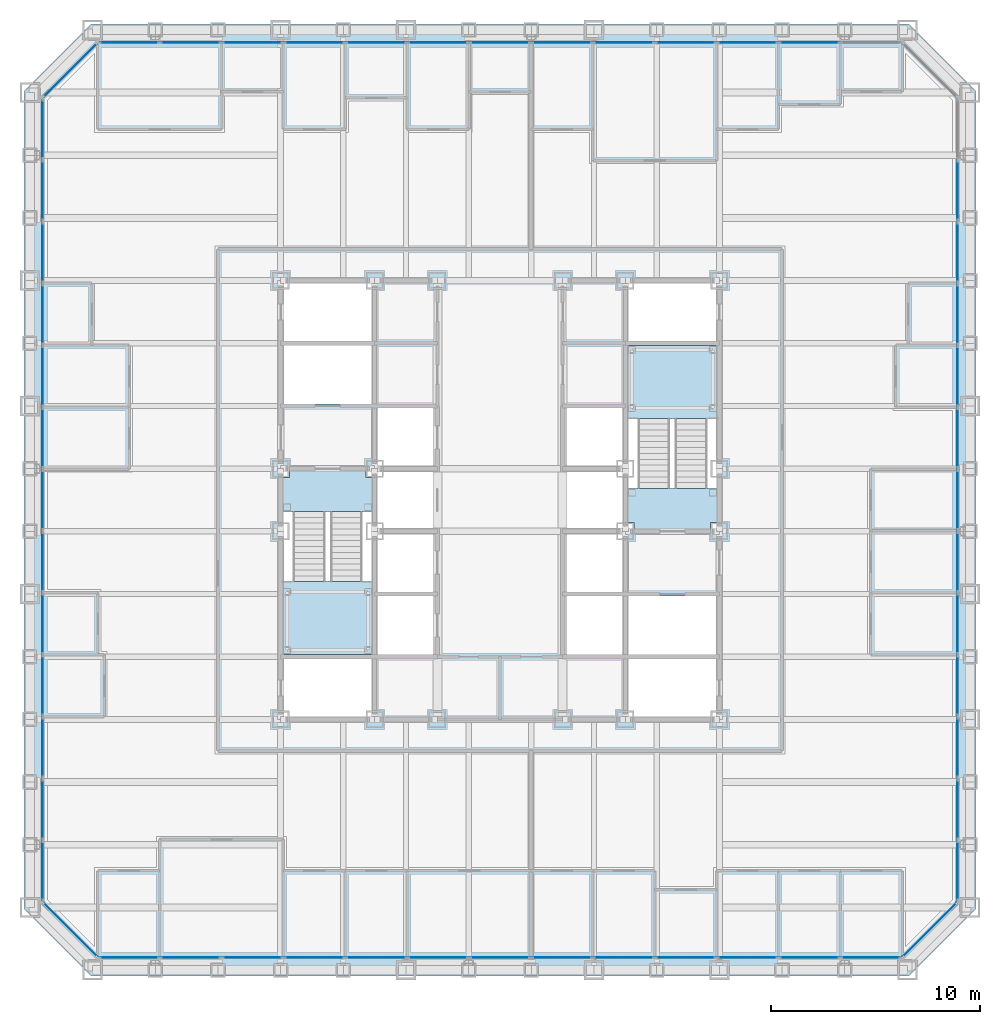
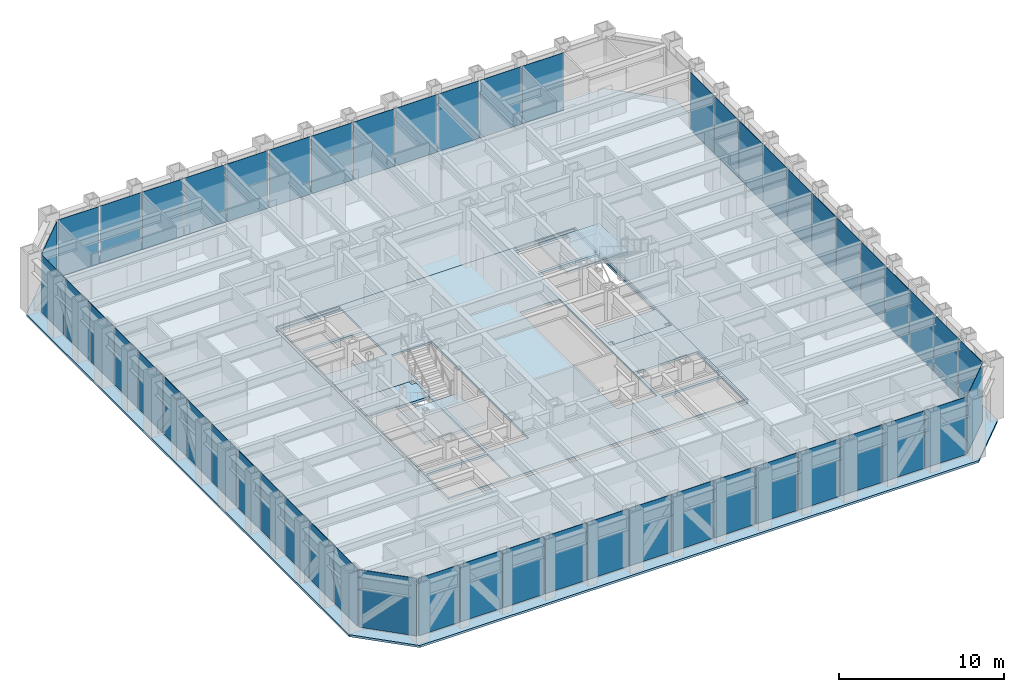
# One storey, part 7 of 16: 53 plates, 6 slabs, 9 elements without a shape of their own.
"""IFC4 building model written with IfcOpenShell, lengths in metres."""

from ifc_helpers import new_model, si_unit, direction, frame, origin, origin_2d, place, context, subcontext, project, spatial, polyline, rectangle, outline, extrude, material, layer, layer_set, type_object, element, aggregate, save


model = new_model("IFC4")

# Units and contexts
model_context = context("Model", 3, precision=1e-05, world=origin(), true_north=direction((0.0, 1.0)))
body_context = subcontext(model_context, "Body", "Model", "MODEL_VIEW")
ifc_project = project(units=[si_unit("LENGTHUNIT", "METRE"), si_unit("AREAUNIT", "SQUARE_METRE"), si_unit("VOLUMEUNIT", "CUBIC_METRE"), si_unit("PLANEANGLEUNIT", "RADIAN"), si_unit("MASSUNIT", "GRAM", prefix="KILO")], contexts=[model_context])

# Site, building, storey
site_placement = place(None, origin())
site = spatial("IfcSite", under=ifc_project, at=site_placement, CompositionType="ELEMENT")
building_placement = place(site_placement, origin())
building = spatial("IfcBuilding", under=site, at=building_placement, Name="Chuquiago Exchange Tower", CompositionType="ELEMENT")
storey_placement = place(building_placement, frame((0.0, 0.0, 55.800048828125)))
storey = spatial("IfcBuildingStorey", under=building, at=storey_placement, Name="L11", CompositionType="ELEMENT", Elevation=55.800048828125)

# Curtain wall, plates
ifc_material_1 = material(Name="Aluminium curtain wall system", Category="aluminium")
ifc_layer_1 = layer(ifc_material_1, 0.25)
ifc_layer_set_1 = layer_set([ifc_layer_1], Name="CW1 trading floor curtain wall")
curtain_wall_type_1 = type_object("IfcCurtainWallType", Name="CW1 trading floor curtain wall", PredefinedType="NOTDEFINED", material=ifc_layer_set_1)
curtain_wall_1_placement = place(storey_placement, origin())
curtain_wall_1 = element("IfcCurtainWall", 1, at=curtain_wall_1_placement, inside=storey, type_object=curtain_wall_type_1, Name="CW1 curtain wall L11", PredefinedType="NOTDEFINED")
ifc_material_2 = material(Name="Glass, insulating unit", Category="glass")
ifc_layer_2 = layer(ifc_material_2, 0.031982421875)
ifc_layer_set_2 = layer_set([ifc_layer_2], Name="CW1-P panel 32")
plate_type_1 = type_object("IfcPlateType", Name="CW1-P panel 32", PredefinedType="CURTAIN_PANEL", material=ifc_layer_set_2)
plate_1_placement = place(storey_placement, frame((10.65283203125, 0.60009765625, -0.22509765625), z_axis=(0.0, 0.0, 1.0), x_axis=(1.0, 0.0, 0.0)))
plate_1 = element("IfcPlate", 2, at=plate_1_placement, type_object=plate_type_1, Name="CW1 panel 3.1", PredefinedType="CURTAIN_PANEL", context=body_context, shape_type="SweptSolid", body=[
    extrude(rectangle(XDim=2.88671875, YDim=0.031982421875, at=origin_2d()), origin(), (0.0, 0.0, 1.0), 4.264892578125),
])
plate_2_placement = place(storey_placement, frame((13.61474609375, 0.60009765625, -0.22509765625), z_axis=(0.0, 0.0, 1.0), x_axis=(1.0, 0.0, 0.0)))
plate_2 = element("IfcPlate", 3, at=plate_2_placement, type_object=plate_type_1, Name="CW1 panel 4.1", PredefinedType="CURTAIN_PANEL", context=body_context, shape_type="SweptSolid", body=[
    extrude(rectangle(XDim=2.88671875, YDim=0.031982421875, at=origin_2d()), origin(), (0.0, 0.0, 1.0), 4.264892578125),
])
plate_3_placement = place(storey_placement, frame((16.576416015625, 0.60009765625, -0.22509765625), z_axis=(0.0, 0.0, 1.0), x_axis=(1.0, 0.0, 0.0)))
plate_3 = element("IfcPlate", 4, at=plate_3_placement, type_object=plate_type_1, Name="CW1 panel 5.1", PredefinedType="CURTAIN_PANEL", context=body_context, shape_type="SweptSolid", body=[
    extrude(rectangle(XDim=2.88671875, YDim=0.031982421875, at=origin_2d()), origin(), (0.0, 0.0, 1.0), 4.264892578125),
])
plate_4_placement = place(storey_placement, frame((25.461669921875, 0.60009765625, -0.22509765625), z_axis=(0.0, 0.0, 1.0), x_axis=(1.0, 0.0, 0.0)))
plate_4 = element("IfcPlate", 5, at=plate_4_placement, type_object=plate_type_1, Name="CW1 panel 8.1", PredefinedType="CURTAIN_PANEL", context=body_context, shape_type="SweptSolid", body=[
    extrude(rectangle(XDim=2.88671875, YDim=0.031982421875, at=origin_2d()), origin(), (0.0, 0.0, 1.0), 4.264892578125),
])
plate_5_placement = place(storey_placement, frame((28.423583984375, 0.60009765625, -0.22509765625), z_axis=(0.0, 0.0, 1.0), x_axis=(1.0, 0.0, 0.0)))
plate_5 = element("IfcPlate", 6, at=plate_5_placement, type_object=plate_type_1, Name="CW1 panel 9.1", PredefinedType="CURTAIN_PANEL", context=body_context, shape_type="SweptSolid", body=[
    extrude(rectangle(XDim=2.88671875, YDim=0.031982421875, at=origin_2d()), origin(), (0.0, 0.0, 1.0), 4.264892578125),
])
plate_6_placement = place(storey_placement, frame((31.38525390625, 0.60009765625, -0.22509765625), z_axis=(0.0, 0.0, 1.0), x_axis=(1.0, 0.0, 0.0)))
plate_6 = element("IfcPlate", 7, at=plate_6_placement, type_object=plate_type_1, Name="CW1 panel 10.1", PredefinedType="CURTAIN_PANEL", context=body_context, shape_type="SweptSolid", body=[
    extrude(rectangle(XDim=2.88671875, YDim=0.031982421875, at=origin_2d()), origin(), (0.0, 0.0, 1.0), 4.264892578125),
])
plate_7_placement = place(storey_placement, frame((34.34716796875, 0.60009765625, -0.22509765625), z_axis=(0.0, 0.0, 1.0), x_axis=(1.0, 0.0, 0.0)))
plate_7 = element("IfcPlate", 8, at=plate_7_placement, type_object=plate_type_1, Name="CW1 panel 11.1", PredefinedType="CURTAIN_PANEL", context=body_context, shape_type="SweptSolid", body=[
    extrude(rectangle(XDim=2.88671875, YDim=0.031982421875, at=origin_2d()), origin(), (0.0, 0.0, 1.0), 4.264892578125),
])

curtain_wall_2_placement = place(storey_placement, origin())
curtain_wall_2 = element("IfcCurtainWall", 9, at=curtain_wall_2_placement, inside=storey, type_object=curtain_wall_type_1, Name="CW1 curtain wall L11", PredefinedType="NOTDEFINED")
plate_8_placement = place(storey_placement, frame((44.39990234375, 10.65283203125, -0.22509765625), z_axis=(0.0, 0.0, 1.0), x_axis=(0.0, 1.0, 0.0)))
plate_8 = element("IfcPlate", 10, at=plate_8_placement, type_object=plate_type_1, Name="CW1 panel 3.1", PredefinedType="CURTAIN_PANEL", context=body_context, shape_type="SweptSolid", body=[
    extrude(rectangle(XDim=2.88671875, YDim=0.031982421875, at=origin_2d()), origin(), (0.0, 0.0, 1.0), 4.264892578125),
])
plate_9_placement = place(storey_placement, frame((44.39990234375, 13.61474609375, -0.22509765625), z_axis=(0.0, 0.0, 1.0), x_axis=(0.0, 1.0, 0.0)))
plate_9 = element("IfcPlate", 11, at=plate_9_placement, type_object=plate_type_1, Name="CW1 panel 4.1", PredefinedType="CURTAIN_PANEL", context=body_context, shape_type="SweptSolid", body=[
    extrude(rectangle(XDim=2.88671875, YDim=0.031982421875, at=origin_2d()), origin(), (0.0, 0.0, 1.0), 4.264892578125),
])
plate_10_placement = place(storey_placement, frame((44.39990234375, 16.576416015625, -0.22509765625), z_axis=(0.0, 0.0, 1.0), x_axis=(0.0, 1.0, 0.0)))
plate_10 = element("IfcPlate", 12, at=plate_10_placement, type_object=plate_type_1, Name="CW1 panel 5.1", PredefinedType="CURTAIN_PANEL", context=body_context, shape_type="SweptSolid", body=[
    extrude(rectangle(XDim=2.88671875, YDim=0.031982421875, at=origin_2d()), origin(), (0.0, 0.0, 1.0), 4.264892578125),
])
plate_11_placement = place(storey_placement, frame((44.39990234375, 25.461669921875, -0.22509765625), z_axis=(0.0, 0.0, 1.0), x_axis=(0.0, 1.0, 0.0)))
plate_11 = element("IfcPlate", 13, at=plate_11_placement, type_object=plate_type_1, Name="CW1 panel 8.1", PredefinedType="CURTAIN_PANEL", context=body_context, shape_type="SweptSolid", body=[
    extrude(rectangle(XDim=2.88671875, YDim=0.031982421875, at=origin_2d()), origin(), (0.0, 0.0, 1.0), 4.264892578125),
])
plate_12_placement = place(storey_placement, frame((44.39990234375, 28.423583984375, -0.22509765625), z_axis=(0.0, 0.0, 1.0), x_axis=(0.0, 1.0, 0.0)))
plate_12 = element("IfcPlate", 14, at=plate_12_placement, type_object=plate_type_1, Name="CW1 panel 9.1", PredefinedType="CURTAIN_PANEL", context=body_context, shape_type="SweptSolid", body=[
    extrude(rectangle(XDim=2.88671875, YDim=0.031982421875, at=origin_2d()), origin(), (0.0, 0.0, 1.0), 4.264892578125),
])
plate_13_placement = place(storey_placement, frame((44.39990234375, 31.38525390625, -0.22509765625), z_axis=(0.0, 0.0, 1.0), x_axis=(0.0, 1.0, 0.0)))
plate_13 = element("IfcPlate", 15, at=plate_13_placement, type_object=plate_type_1, Name="CW1 panel 10.1", PredefinedType="CURTAIN_PANEL", context=body_context, shape_type="SweptSolid", body=[
    extrude(rectangle(XDim=2.88671875, YDim=0.031982421875, at=origin_2d()), origin(), (0.0, 0.0, 1.0), 4.264892578125),
])
plate_14_placement = place(storey_placement, frame((44.39990234375, 34.34716796875, -0.22509765625), z_axis=(0.0, 0.0, 1.0), x_axis=(0.0, 1.0, 0.0)))
plate_14 = element("IfcPlate", 16, at=plate_14_placement, type_object=plate_type_1, Name="CW1 panel 11.1", PredefinedType="CURTAIN_PANEL", context=body_context, shape_type="SweptSolid", body=[
    extrude(rectangle(XDim=2.88671875, YDim=0.031982421875, at=origin_2d()), origin(), (0.0, 0.0, 1.0), 4.264892578125),
])

curtain_wall_3_placement = place(storey_placement, origin())
curtain_wall_3 = element("IfcCurtainWall", 17, at=curtain_wall_3_placement, inside=storey, type_object=curtain_wall_type_1, Name="CW1 curtain wall L11", PredefinedType="NOTDEFINED")
plate_15_placement = place(storey_placement, frame((34.34716796875, 44.39990234375, -0.22509765625), z_axis=(0.0, 0.0, 1.0), x_axis=(-1.0, 0.0, 0.0)))
plate_15 = element("IfcPlate", 18, at=plate_15_placement, type_object=plate_type_1, Name="CW1 panel 3.1", PredefinedType="CURTAIN_PANEL", context=body_context, shape_type="SweptSolid", body=[
    extrude(rectangle(XDim=2.88671875, YDim=0.031982421875, at=origin_2d()), origin(), (0.0, 0.0, 1.0), 4.264892578125),
])
plate_16_placement = place(storey_placement, frame((31.38525390625, 44.39990234375, -0.22509765625), z_axis=(0.0, 0.0, 1.0), x_axis=(-1.0, 0.0, 0.0)))
plate_16 = element("IfcPlate", 19, at=plate_16_placement, type_object=plate_type_1, Name="CW1 panel 4.1", PredefinedType="CURTAIN_PANEL", context=body_context, shape_type="SweptSolid", body=[
    extrude(rectangle(XDim=2.88671875, YDim=0.031982421875, at=origin_2d()), origin(), (0.0, 0.0, 1.0), 4.264892578125),
])
plate_17_placement = place(storey_placement, frame((28.423583984375, 44.39990234375, -0.22509765625), z_axis=(0.0, 0.0, 1.0), x_axis=(-1.0, 0.0, 0.0)))
plate_17 = element("IfcPlate", 20, at=plate_17_placement, type_object=plate_type_1, Name="CW1 panel 5.1", PredefinedType="CURTAIN_PANEL", context=body_context, shape_type="SweptSolid", body=[
    extrude(rectangle(XDim=2.88671875, YDim=0.031982421875, at=origin_2d()), origin(), (0.0, 0.0, 1.0), 4.264892578125),
])
plate_18_placement = place(storey_placement, frame((19.538330078125, 44.39990234375, -0.22509765625), z_axis=(0.0, 0.0, 1.0), x_axis=(-1.0, 0.0, 0.0)))
plate_18 = element("IfcPlate", 21, at=plate_18_placement, type_object=plate_type_1, Name="CW1 panel 8.1", PredefinedType="CURTAIN_PANEL", context=body_context, shape_type="SweptSolid", body=[
    extrude(rectangle(XDim=2.88671875, YDim=0.031982421875, at=origin_2d()), origin(), (0.0, 0.0, 1.0), 4.264892578125),
])
plate_19_placement = place(storey_placement, frame((16.576416015625, 44.39990234375, -0.22509765625), z_axis=(0.0, 0.0, 1.0), x_axis=(-1.0, 0.0, 0.0)))
plate_19 = element("IfcPlate", 22, at=plate_19_placement, type_object=plate_type_1, Name="CW1 panel 9.1", PredefinedType="CURTAIN_PANEL", context=body_context, shape_type="SweptSolid", body=[
    extrude(rectangle(XDim=2.88671875, YDim=0.031982421875, at=origin_2d()), origin(), (0.0, 0.0, 1.0), 4.264892578125),
])
plate_20_placement = place(storey_placement, frame((13.61474609375, 44.39990234375, -0.22509765625), z_axis=(0.0, 0.0, 1.0), x_axis=(-1.0, 0.0, 0.0)))
plate_20 = element("IfcPlate", 23, at=plate_20_placement, type_object=plate_type_1, Name="CW1 panel 10.1", PredefinedType="CURTAIN_PANEL", context=body_context, shape_type="SweptSolid", body=[
    extrude(rectangle(XDim=2.88671875, YDim=0.031982421875, at=origin_2d()), origin(), (0.0, 0.0, 1.0), 4.264892578125),
])
plate_21_placement = place(storey_placement, frame((10.65283203125, 44.39990234375, -0.22509765625), z_axis=(0.0, 0.0, 1.0), x_axis=(-1.0, 0.0, 0.0)))
plate_21 = element("IfcPlate", 24, at=plate_21_placement, type_object=plate_type_1, Name="CW1 panel 11.1", PredefinedType="CURTAIN_PANEL", context=body_context, shape_type="SweptSolid", body=[
    extrude(rectangle(XDim=2.88671875, YDim=0.031982421875, at=origin_2d()), origin(), (0.0, 0.0, 1.0), 4.264892578125),
])

curtain_wall_4_placement = place(storey_placement, origin())
curtain_wall_4 = element("IfcCurtainWall", 25, at=curtain_wall_4_placement, inside=storey, type_object=curtain_wall_type_1, Name="CW1 curtain wall L11", PredefinedType="NOTDEFINED")
plate_22_placement = place(storey_placement, frame((0.60009765625, 34.34716796875, -0.22509765625), z_axis=(0.0, 0.0, 1.0), x_axis=(0.0, -1.0, 0.0)))
plate_22 = element("IfcPlate", 26, at=plate_22_placement, type_object=plate_type_1, Name="CW1 panel 3.1", PredefinedType="CURTAIN_PANEL", context=body_context, shape_type="SweptSolid", body=[
    extrude(rectangle(XDim=2.88671875, YDim=0.031982421875, at=origin_2d()), origin(), (0.0, 0.0, 1.0), 4.264892578125),
])
plate_23_placement = place(storey_placement, frame((0.60009765625, 31.38525390625, -0.22509765625), z_axis=(0.0, 0.0, 1.0), x_axis=(0.0, -1.0, 0.0)))
plate_23 = element("IfcPlate", 27, at=plate_23_placement, type_object=plate_type_1, Name="CW1 panel 4.1", PredefinedType="CURTAIN_PANEL", context=body_context, shape_type="SweptSolid", body=[
    extrude(rectangle(XDim=2.88671875, YDim=0.031982421875, at=origin_2d()), origin(), (0.0, 0.0, 1.0), 4.264892578125),
])
plate_24_placement = place(storey_placement, frame((0.60009765625, 28.423583984375, -0.22509765625), z_axis=(0.0, 0.0, 1.0), x_axis=(0.0, -1.0, 0.0)))
plate_24 = element("IfcPlate", 28, at=plate_24_placement, type_object=plate_type_1, Name="CW1 panel 5.1", PredefinedType="CURTAIN_PANEL", context=body_context, shape_type="SweptSolid", body=[
    extrude(rectangle(XDim=2.88671875, YDim=0.031982421875, at=origin_2d()), origin(), (0.0, 0.0, 1.0), 4.264892578125),
])
plate_25_placement = place(storey_placement, frame((0.60009765625, 19.538330078125, -0.22509765625), z_axis=(0.0, 0.0, 1.0), x_axis=(0.0, -1.0, 0.0)))
plate_25 = element("IfcPlate", 29, at=plate_25_placement, type_object=plate_type_1, Name="CW1 panel 8.1", PredefinedType="CURTAIN_PANEL", context=body_context, shape_type="SweptSolid", body=[
    extrude(rectangle(XDim=2.88671875, YDim=0.031982421875, at=origin_2d()), origin(), (0.0, 0.0, 1.0), 4.264892578125),
])
plate_26_placement = place(storey_placement, frame((0.60009765625, 16.576416015625, -0.22509765625), z_axis=(0.0, 0.0, 1.0), x_axis=(0.0, -1.0, 0.0)))
plate_26 = element("IfcPlate", 30, at=plate_26_placement, type_object=plate_type_1, Name="CW1 panel 9.1", PredefinedType="CURTAIN_PANEL", context=body_context, shape_type="SweptSolid", body=[
    extrude(rectangle(XDim=2.88671875, YDim=0.031982421875, at=origin_2d()), origin(), (0.0, 0.0, 1.0), 4.264892578125),
])
plate_27_placement = place(storey_placement, frame((0.60009765625, 13.61474609375, -0.22509765625), z_axis=(0.0, 0.0, 1.0), x_axis=(0.0, -1.0, 0.0)))
plate_27 = element("IfcPlate", 31, at=plate_27_placement, type_object=plate_type_1, Name="CW1 panel 10.1", PredefinedType="CURTAIN_PANEL", context=body_context, shape_type="SweptSolid", body=[
    extrude(rectangle(XDim=2.88671875, YDim=0.031982421875, at=origin_2d()), origin(), (0.0, 0.0, 1.0), 4.264892578125),
])
plate_28_placement = place(storey_placement, frame((0.60009765625, 10.65283203125, -0.22509765625), z_axis=(0.0, 0.0, 1.0), x_axis=(0.0, -1.0, 0.0)))
plate_28 = element("IfcPlate", 32, at=plate_28_placement, type_object=plate_type_1, Name="CW1 panel 11.1", PredefinedType="CURTAIN_PANEL", context=body_context, shape_type="SweptSolid", body=[
    extrude(rectangle(XDim=2.88671875, YDim=0.031982421875, at=origin_2d()), origin(), (0.0, 0.0, 1.0), 4.264892578125),
])

# Plate
ifc_material_3 = material(Name="Insulated spandrel panel, pale anodised aluminium", Category="aluminium")
ifc_layer_3 = layer(ifc_material_3, 0.031982421875)
ifc_layer_set_3 = layer_set([ifc_layer_3], Name="CW1-P spandrel panel 32")
plate_type_2 = type_object("IfcPlateType", Name="CW1-P spandrel panel 32", PredefinedType="CURTAIN_PANEL", material=ifc_layer_set_3)
plate_29_placement = place(storey_placement, frame((4.748046875, 0.60009765625, -0.22509765625), z_axis=(0.0, 0.0, 1.0), x_axis=(1.0, 0.0, 0.0)))
plate_29 = element("IfcPlate", 33, at=plate_29_placement, type_object=plate_type_2, Name="CW1 panel 1.1", PredefinedType="CURTAIN_PANEL", context=body_context, shape_type="SweptSolid", body=[
    extrude(rectangle(XDim=2.849365234375, YDim=0.031982421875, at=origin_2d()), origin(), (0.0, 0.0, 1.0), 4.264892578125),
])

plate_30_placement = place(storey_placement, frame((7.691162109375, 0.60009765625, -0.22509765625), z_axis=(0.0, 0.0, 1.0), x_axis=(1.0, 0.0, 0.0)))
plate_30 = element("IfcPlate", 34, at=plate_30_placement, type_object=plate_type_2, Name="CW1 panel 2.1", PredefinedType="CURTAIN_PANEL", context=body_context, shape_type="SweptSolid", body=[
    extrude(rectangle(XDim=2.88671875, YDim=0.031982421875, at=origin_2d()), origin(), (0.0, 0.0, 1.0), 4.264892578125),
])

plate_31_placement = place(storey_placement, frame((19.538330078125, 0.60009765625, -0.22509765625), z_axis=(0.0, 0.0, 1.0), x_axis=(1.0, 0.0, 0.0)))
plate_31 = element("IfcPlate", 35, at=plate_31_placement, type_object=plate_type_2, Name="CW1 panel 6.1", PredefinedType="CURTAIN_PANEL", context=body_context, shape_type="SweptSolid", body=[
    extrude(rectangle(XDim=2.88671875, YDim=0.031982421875, at=origin_2d()), origin(), (0.0, 0.0, 1.0), 4.264892578125),
])

plate_32_placement = place(storey_placement, frame((22.5, 0.60009765625, -0.22509765625), z_axis=(0.0, 0.0, 1.0), x_axis=(1.0, 0.0, 0.0)))
plate_32 = element("IfcPlate", 36, at=plate_32_placement, type_object=plate_type_2, Name="CW1 panel 7.1", PredefinedType="CURTAIN_PANEL", context=body_context, shape_type="SweptSolid", body=[
    extrude(rectangle(XDim=2.88671875, YDim=0.031982421875, at=origin_2d()), origin(), (0.0, 0.0, 1.0), 4.264892578125),
])

plate_33_placement = place(storey_placement, frame((37.308837890625, 0.60009765625, -0.22509765625), z_axis=(0.0, 0.0, 1.0), x_axis=(1.0, 0.0, 0.0)))
plate_33 = element("IfcPlate", 37, at=plate_33_placement, type_object=plate_type_2, Name="CW1 panel 12.1", PredefinedType="CURTAIN_PANEL", context=body_context, shape_type="SweptSolid", body=[
    extrude(rectangle(XDim=2.88671875, YDim=0.031982421875, at=origin_2d()), origin(), (0.0, 0.0, 1.0), 4.264892578125),
])

plate_34_placement = place(storey_placement, frame((40.251953125, 0.60009765625, -0.22509765625), z_axis=(0.0, 0.0, 1.0), x_axis=(1.0, 0.0, 0.0)))
plate_34 = element("IfcPlate", 38, at=plate_34_placement, type_object=plate_type_2, Name="CW1 panel 13.1", PredefinedType="CURTAIN_PANEL", context=body_context, shape_type="SweptSolid", body=[
    extrude(rectangle(XDim=2.849365234375, YDim=0.031982421875, at=origin_2d()), origin(), (0.0, 0.0, 1.0), 4.264892578125),
])

aggregate(curtain_wall_1, [plate_29, plate_30, plate_1, plate_2, plate_3, plate_31, plate_32, plate_4, plate_5, plate_6, plate_7, plate_33, plate_34])

plate_35_placement = place(storey_placement, frame((44.39990234375, 4.748046875, -0.22509765625), z_axis=(0.0, 0.0, 1.0), x_axis=(0.0, 1.0, 0.0)))
plate_35 = element("IfcPlate", 39, at=plate_35_placement, type_object=plate_type_2, Name="CW1 panel 1.1", PredefinedType="CURTAIN_PANEL", context=body_context, shape_type="SweptSolid", body=[
    extrude(rectangle(XDim=2.849365234375, YDim=0.031982421875, at=origin_2d()), origin(), (0.0, 0.0, 1.0), 4.264892578125),
])

plate_36_placement = place(storey_placement, frame((44.39990234375, 7.691162109375, -0.22509765625), z_axis=(0.0, 0.0, 1.0), x_axis=(0.0, 1.0, 0.0)))
plate_36 = element("IfcPlate", 40, at=plate_36_placement, type_object=plate_type_2, Name="CW1 panel 2.1", PredefinedType="CURTAIN_PANEL", context=body_context, shape_type="SweptSolid", body=[
    extrude(rectangle(XDim=2.88671875, YDim=0.031982421875, at=origin_2d()), origin(), (0.0, 0.0, 1.0), 4.264892578125),
])

plate_37_placement = place(storey_placement, frame((44.39990234375, 19.538330078125, -0.22509765625), z_axis=(0.0, 0.0, 1.0), x_axis=(0.0, 1.0, 0.0)))
plate_37 = element("IfcPlate", 41, at=plate_37_placement, type_object=plate_type_2, Name="CW1 panel 6.1", PredefinedType="CURTAIN_PANEL", context=body_context, shape_type="SweptSolid", body=[
    extrude(rectangle(XDim=2.88671875, YDim=0.031982421875, at=origin_2d()), origin(), (0.0, 0.0, 1.0), 4.264892578125),
])

plate_38_placement = place(storey_placement, frame((44.39990234375, 22.5, -0.22509765625), z_axis=(0.0, 0.0, 1.0), x_axis=(0.0, 1.0, 0.0)))
plate_38 = element("IfcPlate", 42, at=plate_38_placement, type_object=plate_type_2, Name="CW1 panel 7.1", PredefinedType="CURTAIN_PANEL", context=body_context, shape_type="SweptSolid", body=[
    extrude(rectangle(XDim=2.88671875, YDim=0.031982421875, at=origin_2d()), origin(), (0.0, 0.0, 1.0), 4.264892578125),
])

plate_39_placement = place(storey_placement, frame((44.39990234375, 37.308837890625, -0.22509765625), z_axis=(0.0, 0.0, 1.0), x_axis=(0.0, 1.0, 0.0)))
plate_39 = element("IfcPlate", 43, at=plate_39_placement, type_object=plate_type_2, Name="CW1 panel 12.1", PredefinedType="CURTAIN_PANEL", context=body_context, shape_type="SweptSolid", body=[
    extrude(rectangle(XDim=2.88671875, YDim=0.031982421875, at=origin_2d()), origin(), (0.0, 0.0, 1.0), 4.264892578125),
])

aggregate(curtain_wall_2, [plate_35, plate_36, plate_8, plate_9, plate_10, plate_37, plate_38, plate_11, plate_12, plate_13, plate_14, plate_39])

plate_40_placement = place(storey_placement, frame((37.308837890625, 44.39990234375, -0.22509765625), z_axis=(0.0, 0.0, 1.0), x_axis=(-1.0, 0.0, 0.0)))
plate_40 = element("IfcPlate", 44, at=plate_40_placement, type_object=plate_type_2, Name="CW1 panel 2.1", PredefinedType="CURTAIN_PANEL", context=body_context, shape_type="SweptSolid", body=[
    extrude(rectangle(XDim=2.88671875, YDim=0.031982421875, at=origin_2d()), origin(), (0.0, 0.0, 1.0), 4.264892578125),
])

plate_41_placement = place(storey_placement, frame((25.461669921875, 44.39990234375, -0.22509765625), z_axis=(0.0, 0.0, 1.0), x_axis=(-1.0, 0.0, 0.0)))
plate_41 = element("IfcPlate", 45, at=plate_41_placement, type_object=plate_type_2, Name="CW1 panel 6.1", PredefinedType="CURTAIN_PANEL", context=body_context, shape_type="SweptSolid", body=[
    extrude(rectangle(XDim=2.88671875, YDim=0.031982421875, at=origin_2d()), origin(), (0.0, 0.0, 1.0), 4.264892578125),
])

plate_42_placement = place(storey_placement, frame((22.5, 44.39990234375, -0.22509765625), z_axis=(0.0, 0.0, 1.0), x_axis=(-1.0, 0.0, 0.0)))
plate_42 = element("IfcPlate", 46, at=plate_42_placement, type_object=plate_type_2, Name="CW1 panel 7.1", PredefinedType="CURTAIN_PANEL", context=body_context, shape_type="SweptSolid", body=[
    extrude(rectangle(XDim=2.88671875, YDim=0.031982421875, at=origin_2d()), origin(), (0.0, 0.0, 1.0), 4.264892578125),
])

plate_43_placement = place(storey_placement, frame((7.691162109375, 44.39990234375, -0.22509765625), z_axis=(0.0, 0.0, 1.0), x_axis=(-1.0, 0.0, 0.0)))
plate_43 = element("IfcPlate", 47, at=plate_43_placement, type_object=plate_type_2, Name="CW1 panel 12.1", PredefinedType="CURTAIN_PANEL", context=body_context, shape_type="SweptSolid", body=[
    extrude(rectangle(XDim=2.88671875, YDim=0.031982421875, at=origin_2d()), origin(), (0.0, 0.0, 1.0), 4.264892578125),
])

plate_44_placement = place(storey_placement, frame((4.748046875, 44.39990234375, -0.22509765625), z_axis=(0.0, 0.0, 1.0), x_axis=(-1.0, 0.0, 0.0)))
plate_44 = element("IfcPlate", 48, at=plate_44_placement, type_object=plate_type_2, Name="CW1 panel 13.1", PredefinedType="CURTAIN_PANEL", context=body_context, shape_type="SweptSolid", body=[
    extrude(rectangle(XDim=2.849365234375, YDim=0.031982421875, at=origin_2d()), origin(), (0.0, 0.0, 1.0), 4.264892578125),
])

aggregate(curtain_wall_3, [plate_40, plate_15, plate_16, plate_17, plate_41, plate_42, plate_18, plate_19, plate_20, plate_21, plate_43, plate_44])

plate_45_placement = place(storey_placement, frame((0.60009765625, 40.251953125, -0.22509765625), z_axis=(0.0, 0.0, 1.0), x_axis=(0.0, -1.0, 0.0)))
plate_45 = element("IfcPlate", 49, at=plate_45_placement, type_object=plate_type_2, Name="CW1 panel 1.1", PredefinedType="CURTAIN_PANEL", context=body_context, shape_type="SweptSolid", body=[
    extrude(rectangle(XDim=2.849365234375, YDim=0.031982421875, at=origin_2d()), origin(), (0.0, 0.0, 1.0), 4.264892578125),
])

plate_46_placement = place(storey_placement, frame((0.60009765625, 37.308837890625, -0.22509765625), z_axis=(0.0, 0.0, 1.0), x_axis=(0.0, -1.0, 0.0)))
plate_46 = element("IfcPlate", 50, at=plate_46_placement, type_object=plate_type_2, Name="CW1 panel 2.1", PredefinedType="CURTAIN_PANEL", context=body_context, shape_type="SweptSolid", body=[
    extrude(rectangle(XDim=2.88671875, YDim=0.031982421875, at=origin_2d()), origin(), (0.0, 0.0, 1.0), 4.264892578125),
])

plate_47_placement = place(storey_placement, frame((0.60009765625, 25.461669921875, -0.22509765625), z_axis=(0.0, 0.0, 1.0), x_axis=(0.0, -1.0, 0.0)))
plate_47 = element("IfcPlate", 51, at=plate_47_placement, type_object=plate_type_2, Name="CW1 panel 6.1", PredefinedType="CURTAIN_PANEL", context=body_context, shape_type="SweptSolid", body=[
    extrude(rectangle(XDim=2.88671875, YDim=0.031982421875, at=origin_2d()), origin(), (0.0, 0.0, 1.0), 4.264892578125),
])

plate_48_placement = place(storey_placement, frame((0.60009765625, 22.5, -0.22509765625), z_axis=(0.0, 0.0, 1.0), x_axis=(0.0, -1.0, 0.0)))
plate_48 = element("IfcPlate", 52, at=plate_48_placement, type_object=plate_type_2, Name="CW1 panel 7.1", PredefinedType="CURTAIN_PANEL", context=body_context, shape_type="SweptSolid", body=[
    extrude(rectangle(XDim=2.88671875, YDim=0.031982421875, at=origin_2d()), origin(), (0.0, 0.0, 1.0), 4.264892578125),
])

plate_49_placement = place(storey_placement, frame((0.60009765625, 7.691162109375, -0.22509765625), z_axis=(0.0, 0.0, 1.0), x_axis=(0.0, -1.0, 0.0)))
plate_49 = element("IfcPlate", 53, at=plate_49_placement, type_object=plate_type_2, Name="CW1 panel 12.1", PredefinedType="CURTAIN_PANEL", context=body_context, shape_type="SweptSolid", body=[
    extrude(rectangle(XDim=2.88671875, YDim=0.031982421875, at=origin_2d()), origin(), (0.0, 0.0, 1.0), 4.264892578125),
])

plate_50_placement = place(storey_placement, frame((0.60009765625, 4.748046875, -0.22509765625), z_axis=(0.0, 0.0, 1.0), x_axis=(0.0, -1.0, 0.0)))
plate_50 = element("IfcPlate", 54, at=plate_50_placement, type_object=plate_type_2, Name="CW1 panel 13.1", PredefinedType="CURTAIN_PANEL", context=body_context, shape_type="SweptSolid", body=[
    extrude(rectangle(XDim=2.849365234375, YDim=0.031982421875, at=origin_2d()), origin(), (0.0, 0.0, 1.0), 4.264892578125),
])

aggregate(curtain_wall_4, [plate_45, plate_46, plate_22, plate_23, plate_24, plate_47, plate_48, plate_25, plate_26, plate_27, plate_28, plate_49, plate_50])

# Curtain wall, plate
ifc_material_4 = material(Name="Aluminium curtain wall system", Category="aluminium")
ifc_layer_4 = layer(ifc_material_4, 0.199951171875)
ifc_layer_set_4 = layer_set([ifc_layer_4], Name="CW3 facet curtain wall")
curtain_wall_type_2 = type_object("IfcCurtainWallType", Name="CW3 facet curtain wall", PredefinedType="NOTDEFINED", material=ifc_layer_set_4)
curtain_wall_5_placement = place(storey_placement, origin())
curtain_wall_5 = element("IfcCurtainWall", 55, at=curtain_wall_5_placement, inside=storey, type_object=curtain_wall_type_2, Name="CW3 curtain wall L11", PredefinedType="NOTDEFINED")
ifc_material_5 = material(Name="Insulated spandrel panel, pale anodised aluminium", Category="aluminium")
ifc_layer_5 = layer(ifc_material_5, 0.030029296875)
ifc_layer_set_5 = layer_set([ifc_layer_5], Name="CW3-P spandrel panel 30")
plate_type_3 = type_object("IfcPlateType", Name="CW3-P spandrel panel 30", PredefinedType="CURTAIN_PANEL", material=ifc_layer_set_5)
plate_51_placement = place(storey_placement, frame((43.07568359375, 1.92431640625, -0.235107421875), z_axis=(0.0, 0.0, 1.0), x_axis=(0.707106781187, 0.707106781187, 0.0)))
plate_51 = element("IfcPlate", 56, at=plate_51_placement, type_object=plate_type_3, Name="CW3 panel 1.1", PredefinedType="CURTAIN_PANEL", context=body_context, shape_type="SweptSolid", body=[
    extrude(rectangle(XDim=3.615478515625, YDim=0.030029296875, at=origin_2d()), origin(), (0.0, 0.0, 1.0), 4.27490234375),
])
aggregate(curtain_wall_5, [plate_51])

curtain_wall_6_placement = place(storey_placement, origin())
curtain_wall_6 = element("IfcCurtainWall", 57, at=curtain_wall_6_placement, inside=storey, type_object=curtain_wall_type_2, Name="CW3 curtain wall L11", PredefinedType="NOTDEFINED")
plate_52_placement = place(storey_placement, frame((1.92431640625, 43.07568359375, -0.235107421875), z_axis=(0.0, 0.0, 1.0), x_axis=(-0.707106781187, -0.707106781187, 0.0)))
plate_52 = element("IfcPlate", 58, at=plate_52_placement, type_object=plate_type_3, Name="CW3 panel 1.1", PredefinedType="CURTAIN_PANEL", context=body_context, shape_type="SweptSolid", body=[
    extrude(rectangle(XDim=3.615478515625, YDim=0.030029296875, at=origin_2d()), origin(), (0.0, 0.0, 1.0), 4.27490234375),
])
aggregate(curtain_wall_6, [plate_52])

curtain_wall_7_placement = place(storey_placement, origin())
curtain_wall_7 = element("IfcCurtainWall", 59, at=curtain_wall_7_placement, inside=storey, type_object=curtain_wall_type_2, Name="CW3 curtain wall L11", PredefinedType="NOTDEFINED")
plate_53_placement = place(storey_placement, frame((1.92431640625, 1.92431640625, -0.235107421875), z_axis=(0.0, 0.0, 1.0), x_axis=(0.707106781187, -0.707106781187, 0.0)))
plate_53 = element("IfcPlate", 60, at=plate_53_placement, type_object=plate_type_3, Name="CW3 panel 1.1", PredefinedType="CURTAIN_PANEL", context=body_context, shape_type="SweptSolid", body=[
    extrude(rectangle(XDim=3.615478515625, YDim=0.030029296875, at=origin_2d()), origin(), (0.0, 0.0, 1.0), 4.27490234375),
])
aggregate(curtain_wall_7, [plate_53])

# Slabs
ifc_material_6 = material(Name="Concrete C30/37", Category="concrete")
ifc_layer_6 = layer(ifc_material_6, 0.159912109375)
ifc_layer_set_6 = layer_set([ifc_layer_6], Name="FS1 composite floor 160")
slab_type_1 = type_object("IfcSlabType", Name="FS1 composite floor 160", PredefinedType="FLOOR", material=ifc_layer_set_6)
slab_1_placement = place(storey_placement, frame((0.0, 0.0, -0.4599609375)))
element("IfcSlab", 61, at=slab_1_placement, inside=storey, type_object=slab_type_1, Name="L11 floor slab, lowered under the raised floor", PredefinedType="FLOOR", context=body_context, shape_type="SweptSolid", body=[
    extrude(outline(polyline([(-0.25, 2.896484375), (-0.25, 42.103515625), (2.896484375, 45.25), (42.103515625, 45.25), (45.25, 42.103515625), (45.25, 2.896484375), (42.103515625, -0.25), (2.896484375, -0.25), (-0.25, 2.896484375)]), holes=[polyline([(33.0, 33.0), (12.0, 33.0), (12.0, 12.0), (33.0, 12.0), (33.0, 33.0)])]), origin(), (0.0, 0.0, 1.0), 0.159912109375),
])
slab_2_placement = place(storey_placement, frame((0.0, 0.0, -0.16015625)))
element("IfcSlab", 62, at=slab_2_placement, inside=storey, type_object=slab_type_1, Name="L11 core floor slab", PredefinedType="FLOOR", context=body_context, shape_type="SweptSolid", body=[
    extrude(outline(polyline([(33.0, 12.0), (33.0, 33.0), (12.0, 33.0), (12.0, 12.0), (33.0, 12.0)]), holes=[polyline([(16.39990234375, 15.10009765625), (12.10009765625, 15.10009765625), (12.10009765625, 23.89990234375), (16.39990234375, 23.89990234375), (16.39990234375, 15.10009765625)]), polyline([(32.89990234375, 21.10009765625), (28.60009765625, 21.10009765625), (28.60009765625, 29.89990234375), (32.89990234375, 29.89990234375), (32.89990234375, 21.10009765625)]), polyline([(16.39990234375, 12.10009765625), (12.10009765625, 12.10009765625), (12.10009765625, 14.89990234375), (16.39990234375, 14.89990234375), (16.39990234375, 12.10009765625)]), polyline([(16.39990234375, 30.10009765625), (12.10009765625, 30.10009765625), (12.10009765625, 32.89990234375), (16.39990234375, 32.89990234375), (16.39990234375, 30.10009765625)]), polyline([(32.89990234375, 12.10009765625), (28.60009765625, 12.10009765625), (28.60009765625, 14.89990234375), (32.89990234375, 14.89990234375), (32.89990234375, 12.10009765625)]), polyline([(32.89990234375, 30.10009765625), (28.60009765625, 30.10009765625), (28.60009765625, 32.89990234375), (32.89990234375, 32.89990234375), (32.89990234375, 30.10009765625)]), polyline([(16.39990234375, 27.10009765625), (12.10009765625, 27.10009765625), (12.10009765625, 29.89990234375), (16.39990234375, 29.89990234375), (16.39990234375, 27.10009765625)]), polyline([(32.89990234375, 15.10009765625), (28.60009765625, 15.10009765625), (28.60009765625, 17.89990234375), (32.89990234375, 17.89990234375), (32.89990234375, 15.10009765625)]), polyline([(19.39990234375, 15.10009765625), (16.60009765625, 15.10009765625), (16.60009765625, 26.89990234375), (19.39990234375, 26.89990234375), (19.39990234375, 15.10009765625)]), polyline([(28.39990234375, 15.10009765625), (25.60009765625, 15.10009765625), (25.60009765625, 26.89990234375), (28.39990234375, 26.89990234375), (28.39990234375, 15.10009765625)])]), origin(), (0.0, 0.0, 1.0), 0.16015625),
])

# Stair, slabs
ifc_material_7 = material(Name="Concrete C30/37, precast", Category="concrete")
stair_type_1 = type_object("IfcStairType", Name="ST1 half-turn stair 4500", PredefinedType="HALF_TURN_STAIR", material=ifc_material_7)
stair_1_placement = place(storey_placement, origin())
stair_1 = element("IfcStair", 63, at=stair_1_placement, inside=storey, type_object=stair_type_1, Name="Stair ST1 L11", PredefinedType="HALF_TURN_STAIR")
ifc_material_8 = material(Name="Concrete C30/37, precast", Category="concrete")
ifc_layer_7 = layer(ifc_material_8, 0.199951171875)
ifc_layer_set_7 = layer_set([ifc_layer_7], Name="ST-L landing 200")
slab_type_2 = type_object("IfcSlabType", Name="ST-L landing 200", PredefinedType="LANDING", material=ifc_layer_set_7)
slab_3_placement = place(storey_placement, frame((0.0, 0.0, -0.199951171875)))
slab_3 = element("IfcSlab", 64, at=slab_3_placement, type_object=slab_type_2, Name="ST1 landing 1", PredefinedType="LANDING", context=body_context, shape_type="SweptSolid", body=[
    extrude(outline(polyline([(12.425048828125, 23.89990234375), (16.074951171875, 23.89990234375), (16.074951171875, 23.574951171875), (16.39990234375, 23.574951171875), (16.39990234375, 21.949951171875), (12.10009765625, 21.949951171875), (12.10009765625, 23.574951171875), (12.425048828125, 23.574951171875), (12.425048828125, 23.89990234375)])), origin(), (0.0, 0.0, 1.0), 0.199951171875),
])
slab_4_placement = place(storey_placement, frame((0.0, 0.0, 2.050048828125)))
slab_4 = element("IfcSlab", 65, at=slab_4_placement, type_object=slab_type_2, Name="ST1 landing 2", PredefinedType="LANDING", context=body_context, shape_type="SweptSolid", body=[
    extrude(outline(polyline([(12.10009765625, 18.590087890625), (16.39990234375, 18.590087890625), (16.39990234375, 15.10009765625), (12.10009765625, 15.10009765625), (12.10009765625, 18.590087890625)])), origin(), (0.0, 0.0, 1.0), 0.199951171875),
])
aggregate(stair_1, [slab_3, slab_4])

ifc_material_9 = material(Name="Concrete C30/37, precast", Category="concrete")
stair_type_2 = type_object("IfcStairType", Name="ST2 half-turn stair 4500", PredefinedType="HALF_TURN_STAIR", material=ifc_material_9)
stair_2_placement = place(storey_placement, origin())
stair_2 = element("IfcStair", 66, at=stair_2_placement, inside=storey, type_object=stair_type_2, Name="Stair ST2 L11", PredefinedType="HALF_TURN_STAIR")
slab_5_placement = place(storey_placement, frame((0.0, 0.0, -0.199951171875)))
slab_5 = element("IfcSlab", 67, at=slab_5_placement, type_object=slab_type_2, Name="ST2 landing 1", PredefinedType="LANDING", context=body_context, shape_type="SweptSolid", body=[
    extrude(outline(polyline([(32.574951171875, 21.425048828125), (32.574951171875, 21.10009765625), (28.925048828125, 21.10009765625), (28.925048828125, 21.425048828125), (28.60009765625, 21.425048828125), (28.60009765625, 23.050048828125), (32.89990234375, 23.050048828125), (32.89990234375, 21.425048828125), (32.574951171875, 21.425048828125)])), origin(), (0.0, 0.0, 1.0), 0.199951171875),
])
slab_6_placement = place(storey_placement, frame((0.0, 0.0, 2.050048828125)))
slab_6 = element("IfcSlab", 68, at=slab_6_placement, type_object=slab_type_2, Name="ST2 landing 2", PredefinedType="LANDING", context=body_context, shape_type="SweptSolid", body=[
    extrude(outline(polyline([(28.60009765625, 29.89990234375), (32.89990234375, 29.89990234375), (32.89990234375, 26.409912109375), (28.60009765625, 26.409912109375), (28.60009765625, 29.89990234375)])), origin(), (0.0, 0.0, 1.0), 0.199951171875),
])
aggregate(stair_2, [slab_5, slab_6])

save(model, "model.ifc")
